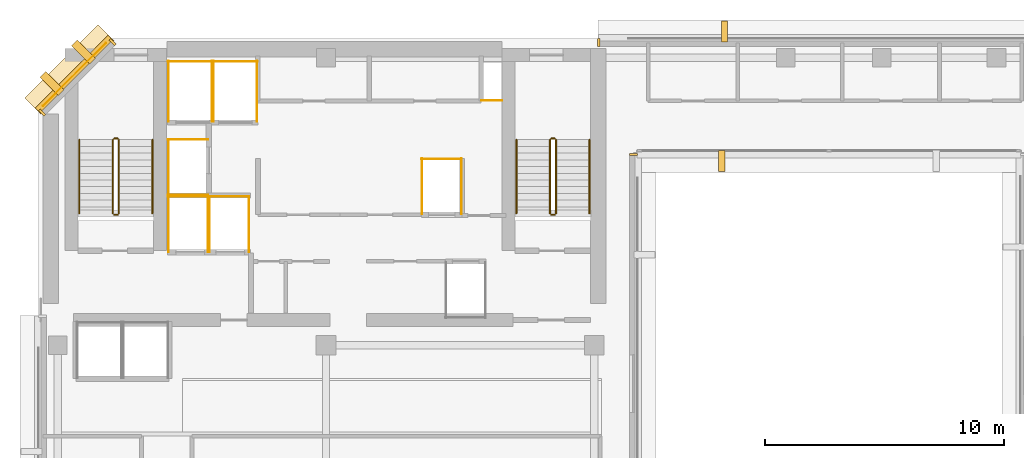
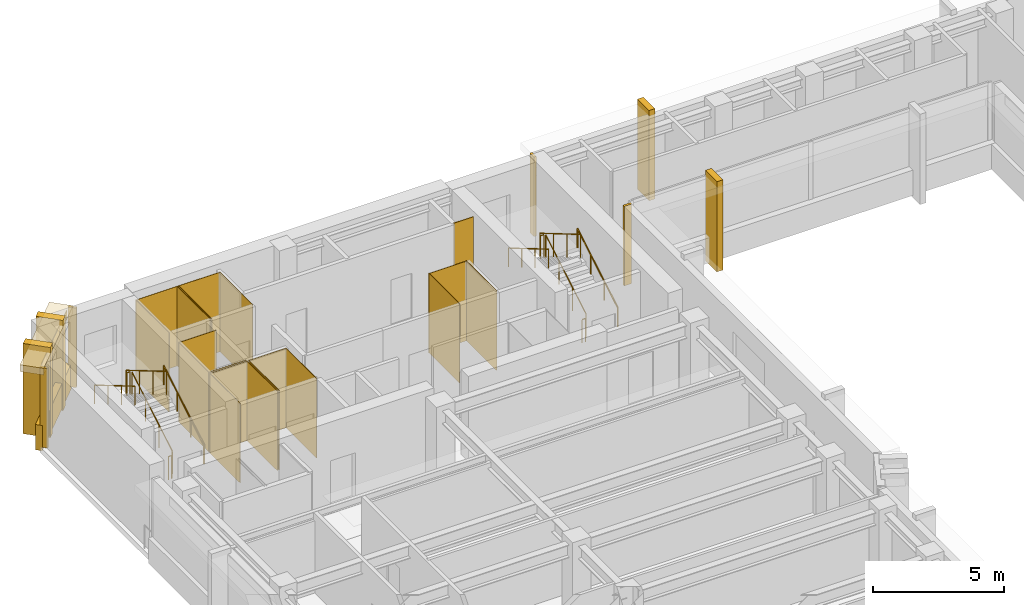
# One storey, part 10 of 11: 30 coverings, 12 railings.
"""IFC4 building model written with IfcOpenShell, lengths in metres."""

from ifc_helpers import new_model, si_unit, direction, frame, origin, origin_2d, place, context, subcontext, project, spatial, polyline, rectangle, circle, outline, extrude, material, layer, layer_set, type_object, element, save


model = new_model("IFC4")

# Units and contexts
model_context = context("Model", 3, precision=1e-05, world=origin(), true_north=direction((0.0, 1.0)))
body_context = subcontext(model_context, "Body", "Model", "MODEL_VIEW")
ifc_project = project(units=[si_unit("LENGTHUNIT", "METRE"), si_unit("AREAUNIT", "SQUARE_METRE"), si_unit("VOLUMEUNIT", "CUBIC_METRE"), si_unit("PLANEANGLEUNIT", "RADIAN"), si_unit("MASSUNIT", "GRAM", prefix="KILO")], contexts=[model_context])

# Site, building, storey
site_placement = place(None, origin())
site = spatial("IfcSite", under=ifc_project, at=site_placement, CompositionType="ELEMENT")
building_placement = place(site_placement, origin())
building = spatial("IfcBuilding", under=site, at=building_placement, Name="Kefirva Bronze Tower", CompositionType="ELEMENT")
storey_placement = place(building_placement, frame((0.0, 0.0, 231.659912109375)))
storey = spatial("IfcBuildingStorey", under=building, at=storey_placement, Name="L56", CompositionType="ELEMENT", Elevation=231.659912109375)

# Coverings
ifc_material_1 = material(Name="Bronze anodised aluminium", Category="aluminium")
ifc_layer_1 = layer(ifc_material_1, 0.02001953125, Name="Bronze anodised aluminium")
ifc_layer_set_1 = layer_set([ifc_layer_1], Name="Bronze anodised aluminium")
covering_type_1 = type_object("IfcCoveringType", Name="Anodised Bronze Spandrel Cladding 20mm", PredefinedType="CLADDING", material=ifc_layer_set_1)
for number, where, z_axis, x_axis, name in (
    (1, (24.840087890625, 41.1650390625, 0.0), (0.0, 0.0, 1.0), (0.0, 1.0, 0.0), "L56 Facade Joint Closure Panel 4E"),
    (2, (23.385009765625, 45.840087890625, 0.0), (0.0, 0.0, 1.0), (-1.0, 0.0, 0.0), "L56 Facade Joint Closure Panel 11E"),
):
    element("IfcCovering", number, at=place(storey_placement, frame(where, z_axis=z_axis, x_axis=x_axis)), inside=storey, type_object=covering_type_1, Name=name, PredefinedType="CLADDING", context=body_context, shape_type="SweptSolid", body=[
        extrude(rectangle(XDim=0.10009765625, YDim=0.320068359375, at=origin_2d()), origin(), (0.0, 0.0, 1.0), 3.7099609375),
    ])
covering_1_placement = place(storey_placement, frame((1.492919921875, 44.507080078125, 3.2900390625), z_axis=(0.0, 0.0, 1.0), x_axis=(-0.707106781187, -0.707106781187, 0.0)))
element("IfcCovering", 3, at=covering_1_placement, inside=storey, type_object=covering_type_1, Name="L56 Bronze Spandrel Cladding 12", PredefinedType="CLADDING", context=body_context, shape_type="SweptSolid", body=[
    extrude(rectangle(XDim=3.719482421875, YDim=0.02001953125, at=origin_2d()), origin(), (0.0, 0.0, 1.0), 0.39990234375),
])
for number, where, z_axis, x_axis, name in (
    (4, (3.08837890625, 45.862060546875, 0.0), (0.0, 0.0, 1.0), (-0.707106781187, -0.707106781187, 0.0), "L56 Facade Joint Closure Panel 12S"),
    (5, (0.137939453125, 42.91162109375, 0.0), (0.0, 0.0, 1.0), (-0.707106781187, -0.707106781187, 0.0), "L56 Facade Joint Closure Panel 12E"),
):
    element("IfcCovering", number, at=place(storey_placement, frame(where, z_axis=z_axis, x_axis=x_axis)), inside=storey, type_object=covering_type_1, Name=name, PredefinedType="CLADDING", context=body_context, shape_type="SweptSolid", body=[
        extrude(rectangle(XDim=0.10009765625, YDim=0.320068359375, at=origin_2d()), origin(), (0.0, 0.0, 1.0), 3.7099609375),
    ])
covering_2_placement = place(storey_placement, frame((1.4716796875, 44.5283203125, -0.15966796875), z_axis=(0.0, 0.0, 1.0), x_axis=(-0.707106781187, -0.707106781187, 0.0)))
element("IfcCovering", 6, at=covering_2_placement, inside=storey, type_object=covering_type_1, Name="L56 Streamline Horizontal Spandrel Band 14", PredefinedType="CLADDING", context=body_context, shape_type="SweptSolid", body=[
    extrude(rectangle(XDim=4.28271484375, YDim=0.280029296875, at=origin_2d()), origin(), (0.0, 0.0, 1.0), 1.179931640625),
])
covering_3_placement = place(storey_placement, origin())
element("IfcCovering", 7, at=covering_3_placement, inside=storey, type_object=covering_type_1, Name="L56 Lift FF1 Hoistway Liner N", PredefinedType="CLADDING", context=body_context, shape_type="SweptSolid", body=[
    extrude(outline(polyline([(5.39990234375, 39.389892578125), (7.080078125, 39.389892578125), (7.080078125, 39.409912109375), (5.39990234375, 39.409912109375), (5.39990234375, 39.389892578125)])), origin(), (0.0, 0.0, 1.0), 3.710205078125),
])
covering_4_placement = place(storey_placement, origin())
element("IfcCovering", 8, at=covering_4_placement, inside=storey, type_object=covering_type_1, Name="L56 Lift FF1 Hoistway Liner W", PredefinedType="CLADDING", context=body_context, shape_type="SweptSolid", body=[
    extrude(outline(polyline([(5.409912109375, 37.080078125), (5.429931640625, 37.080078125), (5.429931640625, 39.419921875), (5.409912109375, 39.419921875), (5.409912109375, 37.080078125)])), origin(), (0.0, 0.0, 1.0), 3.710205078125),
])
covering_5_placement = place(storey_placement, origin())
element("IfcCovering", 9, at=covering_5_placement, inside=storey, type_object=covering_type_1, Name="L56 Lift FF1 Hoistway Liner E", PredefinedType="CLADDING", context=body_context, shape_type="SweptSolid", body=[
    extrude(outline(polyline([(7.050048828125, 37.080078125), (7.070068359375, 37.080078125), (7.070068359375, 39.419921875), (7.050048828125, 39.419921875), (7.050048828125, 37.080078125)])), origin(), (0.0, 0.0, 1.0), 3.710205078125),
])
covering_6_placement = place(storey_placement, origin())
element("IfcCovering", 10, at=covering_6_placement, inside=storey, type_object=covering_type_1, Name="L56 Lift FF2 Hoistway Liner N", PredefinedType="CLADDING", context=body_context, shape_type="SweptSolid", body=[
    extrude(outline(polyline([(7.1201171875, 39.389892578125), (8.800048828125, 39.389892578125), (8.800048828125, 39.409912109375), (7.1201171875, 39.409912109375), (7.1201171875, 39.389892578125)])), origin(), (0.0, 0.0, 1.0), 3.710205078125),
])
covering_7_placement = place(storey_placement, origin())
element("IfcCovering", 11, at=covering_7_placement, inside=storey, type_object=covering_type_1, Name="L56 Lift FF2 Hoistway Liner W", PredefinedType="CLADDING", context=body_context, shape_type="SweptSolid", body=[
    extrude(outline(polyline([(7.1298828125, 37.080078125), (7.14990234375, 37.080078125), (7.14990234375, 39.419921875), (7.1298828125, 39.419921875), (7.1298828125, 37.080078125)])), origin(), (0.0, 0.0, 1.0), 3.710205078125),
])
covering_8_placement = place(storey_placement, origin())
element("IfcCovering", 12, at=covering_8_placement, inside=storey, type_object=covering_type_1, Name="L56 Lift FF2 Hoistway Liner E", PredefinedType="CLADDING", context=body_context, shape_type="SweptSolid", body=[
    extrude(outline(polyline([(8.77001953125, 37.080078125), (8.7900390625, 37.080078125), (8.7900390625, 39.419921875), (8.77001953125, 39.419921875), (8.77001953125, 37.080078125)])), origin(), (0.0, 0.0, 1.0), 3.710205078125),
])
covering_9_placement = place(storey_placement, origin())
element("IfcCovering", 13, at=covering_9_placement, inside=storey, type_object=covering_type_1, Name="L56 Lift SV1 Hoistway Liner N", PredefinedType="CLADDING", context=body_context, shape_type="SweptSolid", body=[
    extrude(outline(polyline([(5.39990234375, 45.0400390625), (7.260009765625, 45.0400390625), (7.260009765625, 45.06005859375), (5.39990234375, 45.06005859375), (5.39990234375, 45.0400390625)])), origin(), (0.0, 0.0, 1.0), 3.710205078125),
])
covering_10_placement = place(storey_placement, origin())
element("IfcCovering", 14, at=covering_10_placement, inside=storey, type_object=covering_type_1, Name="L56 Lift SV1 Hoistway Liner W", PredefinedType="CLADDING", context=body_context, shape_type="SweptSolid", body=[
    extrude(outline(polyline([(5.409912109375, 42.530029296875), (5.429931640625, 42.530029296875), (5.429931640625, 45.070068359375), (5.409912109375, 45.070068359375), (5.409912109375, 42.530029296875)])), origin(), (0.0, 0.0, 1.0), 3.710205078125),
])
covering_11_placement = place(storey_placement, origin())
element("IfcCovering", 15, at=covering_11_placement, inside=storey, type_object=covering_type_1, Name="L56 Lift SV1 Hoistway Liner E", PredefinedType="CLADDING", context=body_context, shape_type="SweptSolid", body=[
    extrude(outline(polyline([(7.22998046875, 42.530029296875), (7.25, 42.530029296875), (7.25, 45.070068359375), (7.22998046875, 45.070068359375), (7.22998046875, 42.530029296875)])), origin(), (0.0, 0.0, 1.0), 3.710205078125),
])
covering_12_placement = place(storey_placement, origin())
element("IfcCovering", 16, at=covering_12_placement, inside=storey, type_object=covering_type_1, Name="L56 Lift SV2 Hoistway Liner N", PredefinedType="CLADDING", context=body_context, shape_type="SweptSolid", body=[
    extrude(outline(polyline([(7.280029296875, 45.0400390625), (9.139892578125, 45.0400390625), (9.139892578125, 45.06005859375), (7.280029296875, 45.06005859375), (7.280029296875, 45.0400390625)])), origin(), (0.0, 0.0, 1.0), 3.710205078125),
])
covering_13_placement = place(storey_placement, origin())
element("IfcCovering", 17, at=covering_13_placement, inside=storey, type_object=covering_type_1, Name="L56 Lift SV2 Hoistway Liner W", PredefinedType="CLADDING", context=body_context, shape_type="SweptSolid", body=[
    extrude(outline(polyline([(7.2900390625, 42.530029296875), (7.31005859375, 42.530029296875), (7.31005859375, 45.070068359375), (7.2900390625, 45.070068359375), (7.2900390625, 42.530029296875)])), origin(), (0.0, 0.0, 1.0), 3.710205078125),
])
covering_14_placement = place(storey_placement, origin())
element("IfcCovering", 18, at=covering_14_placement, inside=storey, type_object=covering_type_1, Name="L56 Lift SV2 Hoistway Liner E", PredefinedType="CLADDING", context=body_context, shape_type="SweptSolid", body=[
    extrude(outline(polyline([(9.110107421875, 42.530029296875), (9.1298828125, 42.530029296875), (9.1298828125, 45.070068359375), (9.110107421875, 45.070068359375), (9.110107421875, 42.530029296875)])), origin(), (0.0, 0.0, 1.0), 3.710205078125),
])
covering_15_placement = place(storey_placement, origin())
element("IfcCovering", 19, at=covering_15_placement, inside=storey, type_object=covering_type_1, Name="L56 Lift HP2 Hoistway Liner N", PredefinedType="CLADDING", context=body_context, shape_type="SweptSolid", body=[
    extrude(outline(polyline([(15.97998046875, 40.969970703125), (17.669921875, 40.969970703125), (17.669921875, 40.989990234375), (15.97998046875, 40.989990234375), (15.97998046875, 40.969970703125)])), origin(), (0.0, 0.0, 1.0), 3.710205078125),
])
covering_16_placement = place(storey_placement, origin())
element("IfcCovering", 20, at=covering_16_placement, inside=storey, type_object=covering_type_1, Name="L56 Lift HP2 Hoistway Liner W", PredefinedType="CLADDING", context=body_context, shape_type="SweptSolid", body=[
    extrude(outline(polyline([(15.989990234375, 38.659912109375), (16.010009765625, 38.659912109375), (16.010009765625, 41.0), (15.989990234375, 41.0), (15.989990234375, 38.659912109375)])), origin(), (0.0, 0.0, 1.0), 3.710205078125),
])
covering_17_placement = place(storey_placement, origin())
element("IfcCovering", 21, at=covering_17_placement, inside=storey, type_object=covering_type_1, Name="L56 Lift HP2 Hoistway Liner E", PredefinedType="CLADDING", context=body_context, shape_type="SweptSolid", body=[
    extrude(outline(polyline([(17.639892578125, 38.659912109375), (17.659912109375, 38.659912109375), (17.659912109375, 41.0), (17.639892578125, 41.0), (17.639892578125, 38.659912109375)])), origin(), (0.0, 0.0, 1.0), 3.710205078125),
])
covering_18_placement = place(storey_placement, origin())
element("IfcCovering", 22, at=covering_18_placement, inside=storey, type_object=covering_type_1, Name="L56 Lift HP3 Hoistway Liner N", PredefinedType="CLADDING", context=body_context, shape_type="SweptSolid", body=[
    extrude(outline(polyline([(5.39990234375, 41.77001953125), (7.080078125, 41.77001953125), (7.080078125, 41.7900390625), (5.39990234375, 41.7900390625), (5.39990234375, 41.77001953125)])), origin(), (0.0, 0.0, 1.0), 3.710205078125),
])
covering_19_placement = place(storey_placement, origin())
element("IfcCovering", 23, at=covering_19_placement, inside=storey, type_object=covering_type_1, Name="L56 Lift HP3 Hoistway Liner S", PredefinedType="CLADDING", context=body_context, shape_type="SweptSolid", body=[
    extrude(outline(polyline([(5.39990234375, 39.469970703125), (7.080078125, 39.469970703125), (7.080078125, 39.489990234375), (5.39990234375, 39.489990234375), (5.39990234375, 39.469970703125)])), origin(), (0.0, 0.0, 1.0), 3.710205078125),
])
covering_20_placement = place(storey_placement, origin())
element("IfcCovering", 24, at=covering_20_placement, inside=storey, type_object=covering_type_1, Name="L56 Lift HP3 Hoistway Liner W", PredefinedType="CLADDING", context=body_context, shape_type="SweptSolid", body=[
    extrude(outline(polyline([(5.409912109375, 39.4599609375), (5.429931640625, 39.4599609375), (5.429931640625, 41.800048828125), (5.409912109375, 41.800048828125), (5.409912109375, 39.4599609375)])), origin(), (0.0, 0.0, 1.0), 3.710205078125),
])
covering_21_placement = place(storey_placement, origin())
element("IfcCovering", 25, at=covering_21_placement, inside=storey, type_object=covering_type_1, Name="L56 Core MEP Riser Shaft Liner South", PredefinedType="CLADDING", context=body_context, shape_type="SweptSolid", body=[
    extrude(outline(polyline([(18.47998046875, 43.39990234375), (19.360107421875, 43.39990234375), (19.360107421875, 43.429931640625), (18.47998046875, 43.429931640625), (18.47998046875, 43.39990234375)])), origin(), (0.0, 0.0, 1.0), 3.710205078125),
])

# Railings
ifc_material_2 = material(Name="Stainless steel 316", Category="steel")
railing_type_1 = type_object("IfcRailingType", Name="Interior Stair Guardrail 1100mm", PredefinedType="GUARDRAIL", material=ifc_material_2)
railing_1_placement = place(storey_placement, frame((3.35009765625, 38.699951171875, 0.1650390625)))
element("IfcRailing", 26, at=railing_1_placement, inside=storey, type_object=railing_type_1, Name="L56 ST-1 stair guard 1", PredefinedType="GUARDRAIL", context=body_context, shape_type="SweptSolid", body=[
    extrude(circle(Radius=0.02392578125, at=origin_2d()), frame((0.0, 0.0, 1.076171875), z_axis=(0.0, 0.861551262678, 0.507670583921), x_axis=(-1.0, 0.0, 0.0)), (0.0, 0.0, 1.0), 3.574951171875),
    extrude(circle(Radius=0.02099609375, at=origin_2d()), origin(), (0.0, 0.0, 1.0), 1.052001953125),
    extrude(circle(Radius=0.02099609375, at=origin_2d()), frame((0.0, 1.026611328125, 0.60498046875)), (0.0, 0.0, 1.0), 1.052001953125),
    extrude(circle(Radius=0.02099609375, at=origin_2d()), frame((0.0, 2.053466796875, 1.2099609375)), (0.0, 0.0, 1.0), 1.052001953125),
    extrude(circle(Radius=0.02099609375, at=origin_2d()), frame((0.0, 3.080078125, 1.81494140625)), (0.0, 0.0, 1.0), 1.052001953125),
])
railing_2_placement = place(storey_placement, frame((3.300048828125, 41.830078125, 1.97998046875)))
element("IfcRailing", 27, at=railing_2_placement, inside=storey, type_object=railing_type_1, Name="L56 ST-1 stair guard 2", PredefinedType="GUARDRAIL", context=body_context, shape_type="SweptSolid", body=[
    extrude(circle(Radius=0.02392578125, at=origin_2d()), frame((0.0, 0.0, 1.076171875), z_axis=(-1.0, 0.0, 0.0), x_axis=(0.0, -1.0, 0.0)), (0.0, 0.0, 1.0), 0.150146484375),
    extrude(circle(Radius=0.02099609375, at=origin_2d()), origin(), (0.0, 0.0, 1.0), 1.052001953125),
    extrude(circle(Radius=0.02099609375, at=origin_2d()), frame((-0.150146484375, 0.0, 0.0)), (0.0, 0.0, 1.0), 1.052001953125),
])
railing_3_placement = place(storey_placement, frame((3.10009765625, 41.780029296875, 2.14501953125)))
element("IfcRailing", 28, at=railing_3_placement, inside=storey, type_object=railing_type_1, Name="L56 ST-1 stair guard 3", PredefinedType="GUARDRAIL", context=body_context, shape_type="SweptSolid", body=[
    extrude(circle(Radius=0.02392578125, at=origin_2d()), frame((0.0, 0.0, 1.076171875), z_axis=(0.0, -0.861521393093, 0.507721271215), x_axis=(1.0, 0.0, 0.0)), (0.0, 0.0, 1.0), 3.5751953125),
    extrude(circle(Radius=0.02099609375, at=origin_2d()), origin(), (0.0, 0.0, 1.0), 1.052001953125),
    extrude(circle(Radius=0.02099609375, at=origin_2d()), frame((0.0, -1.026611328125, 0.60498046875)), (0.0, 0.0, 1.0), 1.052001953125),
    extrude(circle(Radius=0.02099609375, at=origin_2d()), frame((0.0, -2.053466796875, 1.210205078125)), (0.0, 0.0, 1.0), 1.052001953125),
    extrude(circle(Radius=0.02099609375, at=origin_2d()), frame((0.0, -3.080078125, 1.815185546875)), (0.0, 0.0, 1.0), 1.052001953125),
])
railing_4_placement = place(storey_placement, frame((3.300048828125, 38.64990234375, 0.0)))
element("IfcRailing", 29, at=railing_4_placement, inside=storey, type_object=railing_type_1, Name="L56 ST-1 stair guard 4", PredefinedType="GUARDRAIL", context=body_context, shape_type="SweptSolid", body=[
    extrude(circle(Radius=0.02392578125, at=origin_2d()), frame((0.0, 0.0, 1.076171875), z_axis=(-1.0, 0.0, 0.0), x_axis=(0.0, -1.0, 0.0)), (0.0, 0.0, 1.0), 0.150146484375),
    extrude(circle(Radius=0.02099609375, at=origin_2d()), origin(), (0.0, 0.0, 1.0), 1.052001953125),
    extrude(circle(Radius=0.02099609375, at=origin_2d()), frame((-0.150146484375, 0.0, 0.0)), (0.0, 0.0, 1.0), 1.052001953125),
])
railing_5_placement = place(storey_placement, frame((21.60009765625, 38.699951171875, 0.1650390625)))
element("IfcRailing", 30, at=railing_5_placement, inside=storey, type_object=railing_type_1, Name="L56 ST-2 stair guard 1", PredefinedType="GUARDRAIL", context=body_context, shape_type="SweptSolid", body=[
    extrude(circle(Radius=0.02392578125, at=origin_2d()), frame((0.0, 0.0, 1.076171875), z_axis=(0.0, 0.861551262678, 0.507670583921), x_axis=(-1.0, 0.0, 0.0)), (0.0, 0.0, 1.0), 3.574951171875),
    extrude(circle(Radius=0.02099609375, at=origin_2d()), origin(), (0.0, 0.0, 1.0), 1.052001953125),
    extrude(circle(Radius=0.02099609375, at=origin_2d()), frame((0.0, 1.026611328125, 0.60498046875)), (0.0, 0.0, 1.0), 1.052001953125),
    extrude(circle(Radius=0.02099609375, at=origin_2d()), frame((0.0, 2.053466796875, 1.2099609375)), (0.0, 0.0, 1.0), 1.052001953125),
    extrude(circle(Radius=0.02099609375, at=origin_2d()), frame((0.0, 3.080078125, 1.81494140625)), (0.0, 0.0, 1.0), 1.052001953125),
])
railing_6_placement = place(storey_placement, frame((21.550048828125, 41.830078125, 1.97998046875)))
element("IfcRailing", 31, at=railing_6_placement, inside=storey, type_object=railing_type_1, Name="L56 ST-2 stair guard 2", PredefinedType="GUARDRAIL", context=body_context, shape_type="SweptSolid", body=[
    extrude(circle(Radius=0.02392578125, at=origin_2d()), frame((0.0, 0.0, 1.076171875), z_axis=(-1.0, 0.0, 0.0), x_axis=(0.0, -1.0, 0.0)), (0.0, 0.0, 1.0), 0.150146484375),
    extrude(circle(Radius=0.02099609375, at=origin_2d()), origin(), (0.0, 0.0, 1.0), 1.052001953125),
    extrude(circle(Radius=0.02099609375, at=origin_2d()), frame((-0.150146484375, 0.0, 0.0)), (0.0, 0.0, 1.0), 1.052001953125),
])
railing_7_placement = place(storey_placement, frame((21.35009765625, 41.780029296875, 2.14501953125)))
element("IfcRailing", 32, at=railing_7_placement, inside=storey, type_object=railing_type_1, Name="L56 ST-2 stair guard 3", PredefinedType="GUARDRAIL", context=body_context, shape_type="SweptSolid", body=[
    extrude(circle(Radius=0.02392578125, at=origin_2d()), frame((0.0, 0.0, 1.076171875), z_axis=(0.0, -0.861521393093, 0.507721271215), x_axis=(1.0, 0.0, 0.0)), (0.0, 0.0, 1.0), 3.5751953125),
    extrude(circle(Radius=0.02099609375, at=origin_2d()), origin(), (0.0, 0.0, 1.0), 1.052001953125),
    extrude(circle(Radius=0.02099609375, at=origin_2d()), frame((0.0, -1.026611328125, 0.60498046875)), (0.0, 0.0, 1.0), 1.052001953125),
    extrude(circle(Radius=0.02099609375, at=origin_2d()), frame((0.0, -2.053466796875, 1.210205078125)), (0.0, 0.0, 1.0), 1.052001953125),
    extrude(circle(Radius=0.02099609375, at=origin_2d()), frame((0.0, -3.080078125, 1.815185546875)), (0.0, 0.0, 1.0), 1.052001953125),
])
railing_8_placement = place(storey_placement, frame((21.550048828125, 38.64990234375, 0.0)))
element("IfcRailing", 33, at=railing_8_placement, inside=storey, type_object=railing_type_1, Name="L56 ST-2 stair guard 4", PredefinedType="GUARDRAIL", context=body_context, shape_type="SweptSolid", body=[
    extrude(circle(Radius=0.02392578125, at=origin_2d()), frame((0.0, 0.0, 1.076171875), z_axis=(-1.0, 0.0, 0.0), x_axis=(0.0, -1.0, 0.0)), (0.0, 0.0, 1.0), 0.150146484375),
    extrude(circle(Radius=0.02099609375, at=origin_2d()), origin(), (0.0, 0.0, 1.0), 1.052001953125),
    extrude(circle(Radius=0.02099609375, at=origin_2d()), frame((-0.150146484375, 0.0, 0.0)), (0.0, 0.0, 1.0), 1.052001953125),
])
railing_type_2 = type_object("IfcRailingType", Name="Stair Pitch Handrail 900mm", PredefinedType="HANDRAIL", material=ifc_material_2)
railing_9_placement = place(storey_placement, frame((4.75, 38.699951171875, 0.1650390625)))
element("IfcRailing", 34, at=railing_9_placement, inside=storey, type_object=railing_type_2, Name="L56 ST-1 stair handrail 1", PredefinedType="HANDRAIL", context=body_context, shape_type="SweptSolid", body=[
    extrude(circle(Radius=0.02392578125, at=origin_2d()), frame((0.0, 0.0, 0.8759765625), z_axis=(0.0, 0.861551262678, 0.507670583921), x_axis=(-1.0, 0.0, 0.0)), (0.0, 0.0, 1.0), 3.574951171875),
    extrude(circle(Radius=0.02099609375, at=origin_2d()), origin(), (0.0, 0.0, 1.0), 0.851806640625),
    extrude(circle(Radius=0.02099609375, at=origin_2d()), frame((0.0, 1.026611328125, 0.60498046875)), (0.0, 0.0, 1.0), 0.851806640625),
    extrude(circle(Radius=0.02099609375, at=origin_2d()), frame((0.0, 2.053466796875, 1.2099609375)), (0.0, 0.0, 1.0), 0.851806640625),
    extrude(circle(Radius=0.02099609375, at=origin_2d()), frame((0.0, 3.080078125, 1.81494140625)), (0.0, 0.0, 1.0), 0.851806640625),
])
railing_10_placement = place(storey_placement, frame((1.699951171875, 41.780029296875, 2.14501953125)))
element("IfcRailing", 35, at=railing_10_placement, inside=storey, type_object=railing_type_2, Name="L56 ST-1 stair handrail 2", PredefinedType="HANDRAIL", context=body_context, shape_type="SweptSolid", body=[
    extrude(circle(Radius=0.02392578125, at=origin_2d()), frame((0.0, 0.0, 0.8759765625), z_axis=(0.0, -0.861521393093, 0.507721271215), x_axis=(1.0, 0.0, 0.0)), (0.0, 0.0, 1.0), 3.5751953125),
    extrude(circle(Radius=0.02099609375, at=origin_2d()), origin(), (0.0, 0.0, 1.0), 0.851806640625),
    extrude(circle(Radius=0.02099609375, at=origin_2d()), frame((0.0, -1.026611328125, 0.60498046875)), (0.0, 0.0, 1.0), 0.851806640625),
    extrude(circle(Radius=0.02099609375, at=origin_2d()), frame((0.0, -2.053466796875, 1.210205078125)), (0.0, 0.0, 1.0), 0.851806640625),
    extrude(circle(Radius=0.02099609375, at=origin_2d()), frame((0.0, -3.080078125, 1.815185546875)), (0.0, 0.0, 1.0), 0.851806640625),
])
railing_11_placement = place(storey_placement, frame((23.0, 38.699951171875, 0.1650390625)))
element("IfcRailing", 36, at=railing_11_placement, inside=storey, type_object=railing_type_2, Name="L56 ST-2 stair handrail 1", PredefinedType="HANDRAIL", context=body_context, shape_type="SweptSolid", body=[
    extrude(circle(Radius=0.02392578125, at=origin_2d()), frame((0.0, 0.0, 0.8759765625), z_axis=(0.0, 0.861551262678, 0.507670583921), x_axis=(-1.0, 0.0, 0.0)), (0.0, 0.0, 1.0), 3.574951171875),
    extrude(circle(Radius=0.02099609375, at=origin_2d()), origin(), (0.0, 0.0, 1.0), 0.851806640625),
    extrude(circle(Radius=0.02099609375, at=origin_2d()), frame((0.0, 1.026611328125, 0.60498046875)), (0.0, 0.0, 1.0), 0.851806640625),
    extrude(circle(Radius=0.02099609375, at=origin_2d()), frame((0.0, 2.053466796875, 1.2099609375)), (0.0, 0.0, 1.0), 0.851806640625),
    extrude(circle(Radius=0.02099609375, at=origin_2d()), frame((0.0, 3.080078125, 1.81494140625)), (0.0, 0.0, 1.0), 0.851806640625),
])
railing_12_placement = place(storey_placement, frame((19.949951171875, 41.780029296875, 2.14501953125)))
element("IfcRailing", 37, at=railing_12_placement, inside=storey, type_object=railing_type_2, Name="L56 ST-2 stair handrail 2", PredefinedType="HANDRAIL", context=body_context, shape_type="SweptSolid", body=[
    extrude(circle(Radius=0.02392578125, at=origin_2d()), frame((0.0, 0.0, 0.8759765625), z_axis=(0.0, -0.861521393093, 0.507721271215), x_axis=(1.0, 0.0, 0.0)), (0.0, 0.0, 1.0), 3.5751953125),
    extrude(circle(Radius=0.02099609375, at=origin_2d()), origin(), (0.0, 0.0, 1.0), 0.851806640625),
    extrude(circle(Radius=0.02099609375, at=origin_2d()), frame((0.0, -1.026611328125, 0.60498046875)), (0.0, 0.0, 1.0), 0.851806640625),
    extrude(circle(Radius=0.02099609375, at=origin_2d()), frame((0.0, -2.053466796875, 1.210205078125)), (0.0, 0.0, 1.0), 0.851806640625),
    extrude(circle(Radius=0.02099609375, at=origin_2d()), frame((0.0, -3.080078125, 1.815185546875)), (0.0, 0.0, 1.0), 0.851806640625),
])

# Coverings
ifc_layer_2 = layer(ifc_material_1, 0.179931640625, Name="Bronze anodised aluminium")
ifc_layer_set_2 = layer_set([ifc_layer_2], Name="Bronze anodised aluminium")
covering_type_2 = type_object("IfcCoveringType", Name="Streamline Bronze Sunshade Eyebrow Cladding 180mm", PredefinedType="CLADDING", material=ifc_layer_set_2)
covering_22_placement = place(storey_placement, frame((1.28076171875, 44.71923828125, 3.39013671875), z_axis=(0.0, 0.0, 1.0), x_axis=(-0.707106781187, -0.707106781187, 0.0)))
element("IfcCovering", 38, at=covering_22_placement, inside=storey, type_object=covering_type_2, Name="L56 Streamline Bronze Sunshade Eyebrow 14", PredefinedType="CLADDING", context=body_context, shape_type="SweptSolid", body=[
    extrude(rectangle(XDim=4.322509765625, YDim=0.93994140625, at=origin_2d()), origin(), (0.0, 0.0, 1.0), 0.320068359375),
])
ifc_layer_3 = layer(ifc_material_1, 0.260009765625, Name="Bronze anodised aluminium")
ifc_layer_set_3 = layer_set([ifc_layer_3], Name="Bronze anodised aluminium")
covering_type_3 = type_object("IfcCoveringType", Name="Unbroken Bronze Buttress Fin Cladding 260mm", PredefinedType="CLADDING", material=ifc_layer_set_3)
for number, where, z_axis, x_axis, name in (
    (39, (28.52001953125, 40.89990234375, -0.25), (0.0, 0.0, 1.0), (1.0, 0.0, 0.0), "L56 Unbroken Vertical Bronze Rib Fin 11"),
    (40, (28.639892578125, 46.300048828125, -0.25), (0.0, 0.0, 1.0), (-1.0, 0.0, 0.0), "L56 Unbroken Vertical Bronze Rib Fin 24"),
):
    element("IfcCovering", number, at=place(storey_placement, frame(where, z_axis=z_axis, x_axis=x_axis)), inside=storey, type_object=covering_type_3, Name=name, PredefinedType="CLADDING", context=body_context, shape_type="SweptSolid", body=[
        extrude(rectangle(XDim=0.260009765625, YDim=0.8798828125, at=origin_2d()), origin(), (0.0, 0.0, 1.0), 4.2099609375),
    ])
for number, where, z_axis, x_axis, name in (
    (41, (1.877197265625, 45.44287109375, -0.25), (0.0, 0.0, 1.0), (-0.707106781187, -0.707106781187, 0.0), "L56 Chamfered Corner Buttress Fin Cladding 25"),
    (42, (0.55712890625, 44.122802734375, -0.25), (0.0, 0.0, 1.0), (-0.707106781187, -0.707106781187, 0.0), "L56 Chamfered Corner Buttress Fin Cladding 26"),
):
    element("IfcCovering", number, at=place(storey_placement, frame(where, z_axis=z_axis, x_axis=x_axis)), inside=storey, type_object=covering_type_3, Name=name, PredefinedType="CLADDING", context=body_context, shape_type="SweptSolid", body=[
        extrude(rectangle(XDim=0.340087890625, YDim=1.080078125, at=origin_2d()), origin(), (0.0, 0.0, 1.0), 4.2099609375),
    ])

save(model, "model.ifc")
